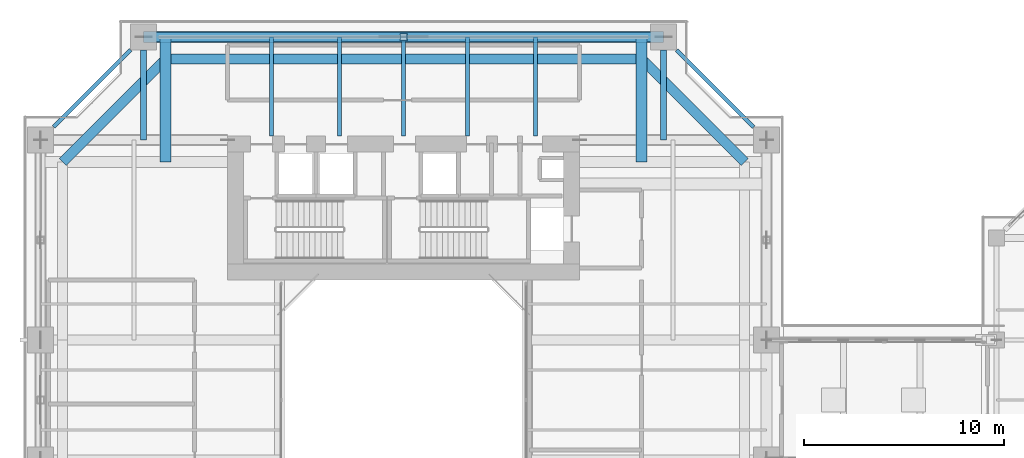
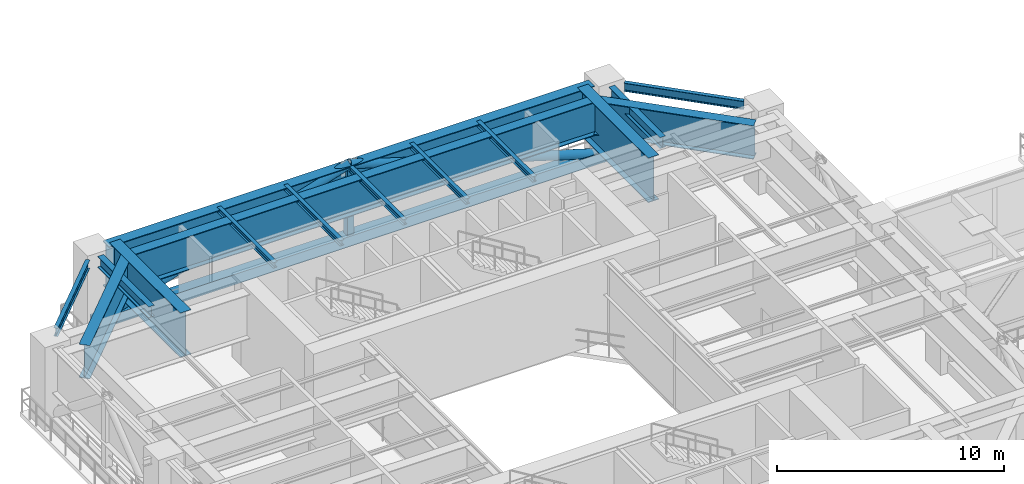
# One storey, part 9 of 25: 15 beams, 4 members.
"""IFC4 building model written with IfcOpenShell, lengths in metres."""

from ifc_helpers import new_model, si_unit, direction, frame, origin, origin_2d, place, context, subcontext, project, spatial, hollow_rectangle, hollow_circle, i_section, extrude, source, transform, mapped, material, material_profile, profile_set, type_object, element, save


model = new_model("IFC4")

# Units and contexts
model_context = context("Model", 3, precision=1e-05, world=origin(), true_north=direction((0.0, 1.0)))
body_context = subcontext(model_context, "Body", "Model", "MODEL_VIEW")
ifc_project = project(units=[si_unit("LENGTHUNIT", "METRE"), si_unit("AREAUNIT", "SQUARE_METRE"), si_unit("VOLUMEUNIT", "CUBIC_METRE"), si_unit("PLANEANGLEUNIT", "RADIAN"), si_unit("MASSUNIT", "GRAM", prefix="KILO"), si_unit("THERMODYNAMICTEMPERATUREUNIT", "KELVIN"), si_unit("POWERUNIT", "WATT")], contexts=[model_context])

# Site, building, storey
site_placement = place(None, origin())
site = spatial("IfcSite", under=ifc_project, at=site_placement, CompositionType="ELEMENT")
building_placement = place(site_placement, origin())
building = spatial("IfcBuilding", under=site, at=building_placement, Name="Qiaomeng Ring Towers", CompositionType="ELEMENT")
storey_placement = place(building_placement, frame((0.0, 0.0, 92.5)))
storey = spatial("IfcBuildingStorey", under=building, at=storey_placement, Name="L26", CompositionType="ELEMENT", Elevation=92.5)

# Beams
ifc_material_1 = material(Name="Steel Q355B", Category="steel")
ifc_material_profile_1 = material_profile(ifc_material_1, i_section(OverallWidth=0.199951171875, OverallDepth=0.449951171875, WebThickness=0.009033203125, FlangeThickness=0.013916015625, FilletRadius=0.01806640625, at=origin_2d()), Name="HN 450x200x9x14")
ifc_profile_set_1 = profile_set([ifc_material_profile_1], Name="Steel Q355B")
beam_type_1 = type_object("IfcBeamType", Name="STR-BM-HN450", PredefinedType="SPANDREL", material=ifc_profile_set_1)
shared_shape_1 = source(origin(), body_context, "Body", "SweptSolid", [
    extrude(i_section(OverallWidth=0.199951171875, OverallDepth=0.449951171875, WebThickness=0.009033203125, FlangeThickness=0.013916015625, FilletRadius=0.01806640625, at=origin_2d()), origin(), (0.0, 0.0, 1.0), 5.446533203125),
])
for number, where, z_axis, x_axis, name in (
    (1, (36.500732421875, 36.6494140625, 4.094970703125), (-0.707106781187, 0.707106781187, 0.0), (-0.707106781187, -0.707106781187, 0.0), "L26 beam STR-SP-L26-T1-E4-N2"),
    (2, (5.3505859375, 40.500732421875, 4.094970703125), (-0.707106781187, -0.707106781187, 0.0), (0.707106781187, -0.707106781187, 0.0), "L26 beam STR-SP-L26-T1-N1-W4"),
):
    element("IfcBeam", number, at=place(storey_placement, frame(where, z_axis=z_axis, x_axis=x_axis)), inside=storey, type_object=beam_type_1, Name=name, PredefinedType="SPANDREL", context=body_context, shape_type="MappedRepresentation", body=[
        mapped(shared_shape_1, transform((0.0, 0.0, 0.0), x_axis=(1.0, 0.0, 0.0), y_axis=(0.0, 1.0, 0.0), z_axis=(0.0, 0.0, 1.0), scale=1.0)),
    ])
ifc_material_profile_2 = material_profile(ifc_material_1, i_section(OverallWidth=0.300048828125, OverallDepth=0.587890625, WebThickness=0.011962890625, FlangeThickness=0.02001953125, FilletRadius=0.028076171875, at=origin_2d()), Name="HM 588x300x12x20")
ifc_profile_set_2 = profile_set([ifc_material_profile_2], Name="Steel Q355B")
beam_type_2 = type_object("IfcBeamType", Name="STR-BM-HM588", PredefinedType="BEAM", material=ifc_profile_set_2)
shared_shape_2 = source(origin(), body_context, "Body", "SweptSolid", [
    extrude(i_section(OverallWidth=0.300048828125, OverallDepth=0.587890625, WebThickness=0.011962890625, FlangeThickness=0.02001953125, FilletRadius=0.028076171875, at=origin_2d()), origin(), (0.0, 0.0, 1.0), 4.5009765625),
])
for number, where, z_axis, x_axis, name in (
    (3, (6.0, 40.5009765625, 4.02587890625), (0.0, -1.0, 0.0), (1.0, 0.0, 0.0), "L26 beam STR-BM-L26-T1-RAD-N1"),
    (4, (32.0, 40.5009765625, 4.02587890625), (0.0, -1.0, 0.0), (1.0, 0.0, 0.0), "L26 beam STR-BM-L26-T1-RAD-N2"),
):
    element("IfcBeam", number, at=place(storey_placement, frame(where, z_axis=z_axis, x_axis=x_axis)), inside=storey, type_object=beam_type_2, Name=name, PredefinedType="BEAM", context=body_context, shape_type="MappedRepresentation", body=[
        mapped(shared_shape_2, transform((0.0, 0.0, 0.0), x_axis=(1.0, 0.0, 0.0), y_axis=(0.0, 1.0, 0.0), z_axis=(0.0, 0.0, 1.0), scale=1.0)),
    ])
ifc_material_profile_3 = material_profile(ifc_material_1, i_section(OverallWidth=0.199951171875, OverallDepth=0.2939453125, WebThickness=0.008056640625, FlangeThickness=0.011962890625, FilletRadius=0.01806640625, at=origin_2d()), Name="HM 294x200x8x12")
ifc_profile_set_3 = profile_set([ifc_material_profile_3], Name="Steel Q355B")
beam_type_3 = type_object("IfcBeamType", Name="STR-BM-HM294", PredefinedType="JOIST", material=ifc_profile_set_3)
shared_shape_3 = source(origin(), body_context, "Body", "SweptSolid", [
    extrude(i_section(OverallWidth=0.199951171875, OverallDepth=0.2939453125, WebThickness=0.008056640625, FlangeThickness=0.011962890625, FilletRadius=0.01806640625, at=origin_2d()), origin(), (0.0, 0.0, 1.0), 4.949951171875),
])
for number, where, z_axis, x_axis, name in (
    (5, (12.39990234375, 36.199951171875, 4.173095703125), (0.0, 1.0, 0.0), (-1.0, 0.0, 0.0), "L26 beam STR-JST-L26-T1N-1"),
    (6, (15.800048828125, 36.199951171875, 4.173095703125), (0.0, 1.0, 0.0), (-1.0, 0.0, 0.0), "L26 beam STR-JST-L26-T1N-2"),
    (7, (19.0, 36.199951171875, 4.173095703125), (0.0, 1.0, 0.0), (-1.0, 0.0, 0.0), "L26 beam STR-JST-L26-T1N-3"),
    (8, (22.199951171875, 36.199951171875, 4.173095703125), (0.0, 1.0, 0.0), (-1.0, 0.0, 0.0), "L26 beam STR-JST-L26-T1N-4"),
    (9, (25.60009765625, 36.199951171875, 4.173095703125), (0.0, 1.0, 0.0), (-1.0, 0.0, 0.0), "L26 beam STR-JST-L26-T1N-5"),
):
    element("IfcBeam", number, at=place(storey_placement, frame(where, z_axis=z_axis, x_axis=x_axis)), inside=storey, type_object=beam_type_3, Name=name, PredefinedType="JOIST", context=body_context, shape_type="MappedRepresentation", body=[
        mapped(shared_shape_3, transform((0.0, 0.0, 0.0), x_axis=(1.0, 0.0, 0.0), y_axis=(0.0, 1.0, 0.0), z_axis=(0.0, 0.0, 1.0), scale=1.0)),
    ])

# Members
ifc_material_2 = material(Name="Steel Q390GJC", Category="steel")
ifc_material_profile_4 = material_profile(ifc_material_2, hollow_rectangle(XDim=0.550048828125, YDim=0.550048828125, WallThickness=0.031982421875, at=origin_2d()), Name="SHS 550x550x32")
ifc_profile_set_4 = profile_set([ifc_material_profile_4], Name="Steel Q390GJC")
member_type_1 = type_object("IfcMemberType", Name="STR-MB-CHORD-550", PredefinedType="CHORD", material=ifc_profile_set_4)
shared_shape_4 = source(origin(), body_context, "Body", "SweptSolid", [
    extrude(hollow_rectangle(XDim=0.550048828125, YDim=0.550048828125, WallThickness=0.031982421875, at=origin_2d()), origin(), (0.0, 0.0, 1.0), 26.0),
])
member_1_placement = place(storey_placement, frame((32.0, 41.14990234375, 0.320068359375), z_axis=(-1.0, 0.0, 0.0), x_axis=(0.0, -1.0, 0.0)))
element("IfcMember", 10, at=member_1_placement, inside=storey, type_object=member_type_1, Name="L26 Belt Truss Bottom Chord N2-N1", PredefinedType="CHORD", context=body_context, shape_type="MappedRepresentation", body=[
    mapped(shared_shape_4, transform((0.0, 0.0, 0.0), x_axis=(1.0, 0.0, 0.0), y_axis=(0.0, 1.0, 0.0), z_axis=(0.0, 0.0, 1.0), scale=1.0)),
])
ifc_material_profile_5 = material_profile(ifc_material_2, hollow_circle(Radius=0.228515625, WallThickness=0.028076171875, at=origin_2d()), Name="CHS 457x28")
ifc_profile_set_5 = profile_set([ifc_material_profile_5], Name="Steel Q390GJC")
member_type_2 = type_object("IfcMemberType", Name="STR-MB-BR-457", PredefinedType="BRACE", material=ifc_profile_set_5)
shared_shape_5 = source(origin(), body_context, "Body", "SweptSolid", [
    extrude(hollow_circle(Radius=0.228515625, WallThickness=0.028076171875, at=origin_2d()), origin(), (0.0, 0.0, 1.0), 13.595703125),
])
for number, where, z_axis, x_axis, name in (
    (11, (32.0, 41.14990234375, 0.320068359375), (-0.956191954359, 0.0, 0.292740407902), (0.0, -1.0, 0.0), "L26 Belt Truss Diagonal N2-M"),
    (12, (6.0, 41.14990234375, 0.320068359375), (0.956191954359, 0.0, 0.292740407902), (0.0, 1.0, 0.0), "L26 Belt Truss Diagonal N1-M"),
):
    element("IfcMember", number, at=place(storey_placement, frame(where, z_axis=z_axis, x_axis=x_axis)), inside=storey, type_object=member_type_2, Name=name, PredefinedType="BRACE", context=body_context, shape_type="MappedRepresentation", body=[
        mapped(shared_shape_5, transform((0.0, 0.0, 0.0), x_axis=(1.0, 0.0, 0.0), y_axis=(0.0, 1.0, 0.0), z_axis=(0.0, 0.0, 1.0), scale=1.0)),
    ])
ifc_material_profile_6 = material_profile(ifc_material_2, hollow_rectangle(XDim=0.35009765625, YDim=0.35009765625, WallThickness=0.02001953125, at=origin_2d()), Name="SHS 350x350x20")
ifc_profile_set_6 = profile_set([ifc_material_profile_6], Name="Steel Q390GJC")
member_type_3 = type_object("IfcMemberType", Name="STR-MB-POST-350", PredefinedType="POST", material=ifc_profile_set_6)
shared_shape_6 = source(origin(), body_context, "Body", "SweptSolid", [
    extrude(hollow_rectangle(XDim=0.35009765625, YDim=0.35009765625, WallThickness=0.02001953125, at=origin_2d()), origin(), (0.0, 0.0, 1.0), 4.0),
])
member_2_placement = place(storey_placement, frame((19.0, 41.14990234375, 0.320068359375), z_axis=(0.0, 0.0, 1.0), x_axis=(1.0, 0.0, 0.0)))
element("IfcMember", 13, at=member_2_placement, inside=storey, type_object=member_type_3, Name="L26 Belt Truss Post N2-N1", PredefinedType="POST", context=body_context, shape_type="MappedRepresentation", body=[
    mapped(shared_shape_6, transform((0.0, 0.0, 0.0), x_axis=(1.0, 0.0, 0.0), y_axis=(0.0, 1.0, 0.0), z_axis=(0.0, 0.0, 1.0), scale=1.0)),
])

# Beams
ifc_material_profile_7 = material_profile(ifc_material_2, i_section(OverallWidth=0.550048828125, OverallDepth=2.39990234375, WebThickness=0.02587890625, FlangeThickness=0.035888671875, at=origin_2d()), Name="WH 2400x550x26x36")
ifc_profile_set_7 = profile_set([ifc_material_profile_7], Name="Steel Q390GJC")
beam_type_4 = type_object("IfcBeamType", Name="STR-TG-WH2400", PredefinedType="USERDEFINED", material=ifc_profile_set_7)
shared_shape_7 = source(origin(), body_context, "Body", "SweptSolid", [
    extrude(i_section(OverallWidth=0.550048828125, OverallDepth=2.39990234375, WebThickness=0.02587890625, FlangeThickness=0.035888671875, at=origin_2d()), origin(), (0.0, 0.0, 1.0), 24.7021484375),
])
beam_1_placement = place(storey_placement, frame((6.64892578125, 41.14990234375, 3.1201171875), z_axis=(1.0, 0.0, 0.0), x_axis=(0.0, 1.0, 0.0)))
element("IfcBeam", 14, at=beam_1_placement, inside=storey, type_object=beam_type_4, Name="L26 Transfer Girder STR-TG2-L26-OUT-N", ObjectType="TRANSFER GIRDER", PredefinedType="USERDEFINED", context=body_context, shape_type="MappedRepresentation", body=[
    mapped(shared_shape_7, transform((0.0, 0.0, 0.0), x_axis=(1.0, 0.0, 0.0), y_axis=(0.0, 1.0, 0.0), z_axis=(0.0, 0.0, 1.0), scale=1.0)),
])
shared_shape_8 = source(origin(), body_context, "Body", "SweptSolid", [
    extrude(i_section(OverallWidth=0.550048828125, OverallDepth=2.39990234375, WebThickness=0.02587890625, FlangeThickness=0.035888671875, at=origin_2d()), origin(), (0.0, 0.0, 1.0), 6.25),
])
for number, where, z_axis, x_axis, name in (
    (15, (7.10009765625, 41.14990234375, 3.1201171875), (0.0, -1.0, 0.0), (1.0, 0.0, 0.0), "L26 Transfer Girder STR-TG2-L26-N1"),
    (16, (30.89990234375, 41.14990234375, 3.1201171875), (0.0, -1.0, 0.0), (1.0, 0.0, 0.0), "L26 Transfer Girder STR-TG2-L26-N2"),
):
    element("IfcBeam", number, at=place(storey_placement, frame(where, z_axis=z_axis, x_axis=x_axis)), inside=storey, type_object=beam_type_4, Name=name, ObjectType="TRANSFER GIRDER", PredefinedType="USERDEFINED", context=body_context, shape_type="MappedRepresentation", body=[
        mapped(shared_shape_8, transform((0.0, 0.0, 0.0), x_axis=(1.0, 0.0, 0.0), y_axis=(0.0, 1.0, 0.0), z_axis=(0.0, 0.0, 1.0), scale=1.0)),
    ])
ifc_material_profile_8 = material_profile(ifc_material_2, i_section(OverallWidth=0.5, OverallDepth=1.800048828125, WebThickness=0.02392578125, FlangeThickness=0.035888671875, at=origin_2d()), Name="WH 1800x500x24x36")
ifc_profile_set_8 = profile_set([ifc_material_profile_8], Name="Steel Q390GJC")
beam_type_5 = type_object("IfcBeamType", Name="STR-TG-WH1800", PredefinedType="USERDEFINED", material=ifc_profile_set_8)
shared_shape_9 = source(origin(), body_context, "Body", "SweptSolid", [
    extrude(i_section(OverallWidth=0.5, OverallDepth=1.800048828125, WebThickness=0.02392578125, FlangeThickness=0.035888671875, at=origin_2d()), origin(), (0.0, 0.0, 1.0), 23.7998046875),
])
beam_2_placement = place(storey_placement, frame((30.89990234375, 40.050048828125, 3.419921875), z_axis=(-1.0, 0.0, 0.0), x_axis=(0.0, -1.0, 0.0)))
element("IfcBeam", 17, at=beam_2_placement, inside=storey, type_object=beam_type_5, Name="L26 Transfer Girder STR-TG3-L26-N2-N1", ObjectType="TRANSFER GIRDER", PredefinedType="USERDEFINED", context=body_context, shape_type="MappedRepresentation", body=[
    mapped(shared_shape_9, transform((0.0, 0.0, 0.0), x_axis=(1.0, 0.0, 0.0), y_axis=(0.0, 1.0, 0.0), z_axis=(0.0, 0.0, 1.0), scale=1.0)),
])
shared_shape_10 = source(origin(), body_context, "Body", "SweptSolid", [
    extrude(i_section(OverallWidth=0.5, OverallDepth=1.800048828125, WebThickness=0.02392578125, FlangeThickness=0.035888671875, at=origin_2d()), origin(), (0.0, 0.0, 1.0), 7.283447265625),
])
for number, where, z_axis, x_axis, name in (
    (18, (36.050048828125, 34.89990234375, 3.419921875), (-0.707106781187, 0.707106781187, 0.0), (-0.707106781187, -0.707106781187, 0.0), "L26 Transfer Girder STR-TG3-L26-E4-N2"),
    (19, (7.10009765625, 40.050048828125, 3.419921875), (-0.707106781187, -0.707106781187, 0.0), (0.707106781187, -0.707106781187, 0.0), "L26 Transfer Girder STR-TG3-L26-N1-W4"),
):
    element("IfcBeam", number, at=place(storey_placement, frame(where, z_axis=z_axis, x_axis=x_axis)), inside=storey, type_object=beam_type_5, Name=name, ObjectType="TRANSFER GIRDER", PredefinedType="USERDEFINED", context=body_context, shape_type="MappedRepresentation", body=[
        mapped(shared_shape_10, transform((0.0, 0.0, 0.0), x_axis=(1.0, 0.0, 0.0), y_axis=(0.0, 1.0, 0.0), z_axis=(0.0, 0.0, 1.0), scale=1.0)),
    ])

save(model, "model.ifc")
